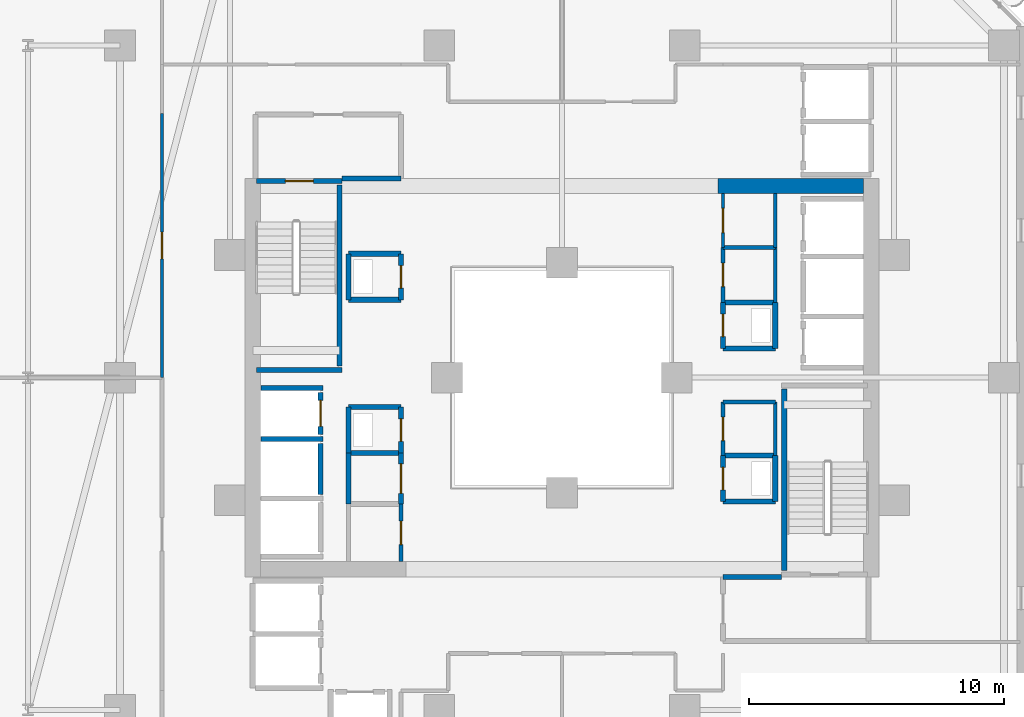
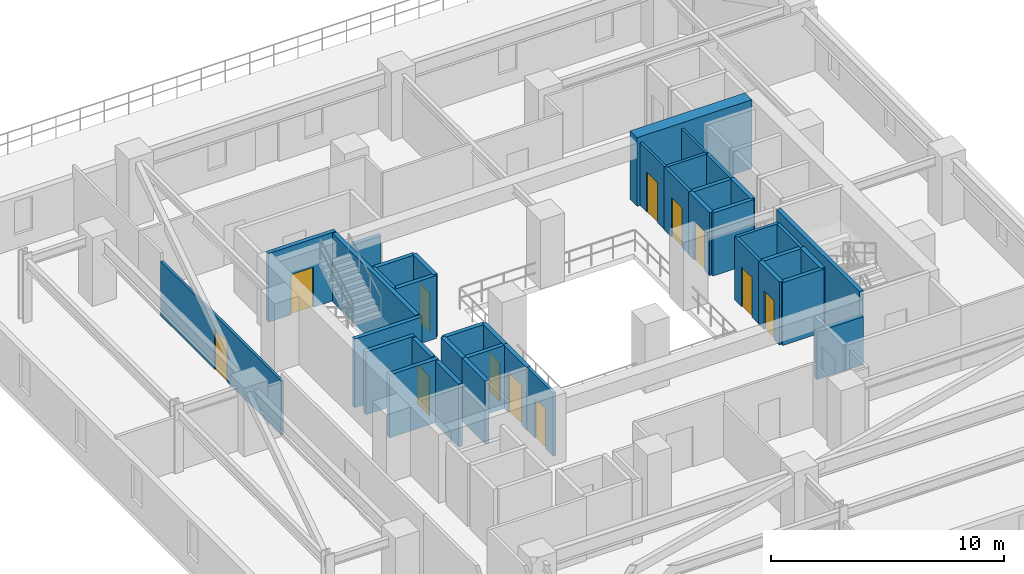
# One storey, part 25 of 33: 39 walls, 12 doors, 12 openings.
"""IFC4 building model written with IfcOpenShell, lengths in metres."""

from ifc_helpers import new_model, si_unit, direction, frame, frame_2d, origin, place, context, subcontext, project, spatial, rectangle, extrude, material, layer, layer_set, type_object, element, fill, save


model = new_model("IFC4")

# Units and contexts
model_context = context("Model", 3, precision=1e-05, world=origin(), true_north=direction((0.0, 1.0)))
body_context = subcontext(model_context, "Body", "Model", "MODEL_VIEW")
ifc_project = project(units=[si_unit("LENGTHUNIT", "METRE"), si_unit("AREAUNIT", "SQUARE_METRE"), si_unit("VOLUMEUNIT", "CUBIC_METRE"), si_unit("PLANEANGLEUNIT", "RADIAN"), si_unit("MASSUNIT", "GRAM", prefix="KILO")], contexts=[model_context])

# Site, building, storey
site_placement = place(None, origin())
site = spatial("IfcSite", under=ifc_project, at=site_placement, CompositionType="ELEMENT")
building_placement = place(site_placement, origin())
building = spatial("IfcBuilding", under=site, at=building_placement, Name="Thornwick Lancets Civic Towers", CompositionType="ELEMENT")
storey_placement = place(building_placement, frame((0.0, 0.0, 98.10009765625)))
storey = spatial("IfcBuildingStorey", under=building, at=storey_placement, Name="L25", CompositionType="ELEMENT", Elevation=98.10009765625)

# Wall, opening, door
ifc_material_1 = material(Name="Concrete blockwork C40/50", Category="masonry")
ifc_layer_1 = layer(ifc_material_1, 0.199951171875, Name="Concrete blockwork C40/50")
ifc_layer_set_1 = layer_set([ifc_layer_1], Name="Concrete blockwork C40/50")
wall_type_1 = type_object("IfcWallType", Name="WALL_COMP_200", PredefinedType="STANDARD", material=ifc_layer_set_1)
wall_1_placement = place(storey_placement, frame((79.050048828125, 24.780029296875, 0.0), z_axis=(0.0, 0.0, 1.0), x_axis=(0.0, 1.0, 0.0)))
wall_1 = element("IfcWall", 1, at=wall_1_placement, inside=storey, type_object=wall_type_1, Name="L25 Hoistway Front Wall FL-B2", PredefinedType="STANDARD", context=body_context, shape_type="SweptSolid", body=[
    extrude(rectangle(XDim=1.639892578125, YDim=0.199951171875, at=frame_2d((0.81982421875, 0.0))), origin(), (0.0, 0.0, 1.0), 3.2998046875),
])
opening_1_placement = place(wall_1_placement, frame((0.31005859375, 0.0, 0.0)))
opening_1 = element("IfcOpeningElement", 2, at=opening_1_placement, cuts=wall_1, Name="Opening LD-FL-B2", PredefinedType="OPENING", context=body_context, shape_type="SweptSolid", body=[
    extrude(rectangle(XDim=1.02001953125, YDim=2.06005859375, at=frame_2d((0.510009765625, 1.030029296875))), frame((0.0, 0.10986328125, 0.0), z_axis=(0.0, -1.0, 0.0), x_axis=(1.0, 0.0, 0.0)), (0.0, 0.0, 1.0), 0.219970703125),
])
ifc_material_2 = material(Name="Brushed bronze stainless steel", Category="steel")
door_type_1 = type_object("IfcDoorType", Name="DOOR_LIFT_SLIDE", OperationType="SLIDING_TO_LEFT", PredefinedType="DOOR", material=ifc_material_2)
door_1_placement = place(opening_1_placement, origin())
door_1 = element("IfcDoor", 3, at=door_1_placement, inside=storey, type_object=door_type_1, Name="L25 Sliding Lift Landing Door LD-FL-B2", OperationType="SLIDING_TO_LEFT", OverallHeight=2.06005859375, OverallWidth=1.02001953125, PredefinedType="DOOR", context=body_context, shape_type="SweptSolid", body=[
    extrude(rectangle(XDim=1.02001953125, YDim=2.06005859375, at=frame_2d((0.510009765625, 1.030029296875))), frame((0.0, 0.02490234375, 0.0), z_axis=(0.0, -1.0, 0.0), x_axis=(1.0, 0.0, 0.0)), (0.0, 0.0, 1.0), 0.050048828125),
])
fill(opening_1, door_1)

# Walls
wall_2_placement = place(storey_placement, frame((79.050048828125, 22.429931640625, 0.0), z_axis=(0.0, 0.0, 1.0), x_axis=(0.0, 1.0, 0.0)))
element("IfcWall", 4, at=wall_2_placement, inside=storey, type_object=wall_type_1, Name="L25 Hoistway Front Wall PL-BH2", PredefinedType="STANDARD", context=body_context, shape_type="SweptSolid", body=[
    extrude(rectangle(XDim=1.989990234375, YDim=0.199951171875, at=frame_2d((0.9951171875, 0.0))), origin(), (0.0, 0.0, 1.0), 3.2998046875),
])
for number, where, z_axis, x_axis, name in (
    (5, (76.7119140625, 26.60009765625, 0.0), (0.0, 0.0, 1.0), (1.0, 0.0, 0.0), "L25 Hoistway Shaft Wall FL-B2 N"),
    (6, (76.7119140625, 24.60009765625, 0.0), (0.0, 0.0, 1.0), (1.0, 0.0, 0.0), "L25 Hoistway Shaft Wall FL-B2 S"),
):
    element("IfcWall", number, at=place(storey_placement, frame(where, z_axis=z_axis, x_axis=x_axis)), inside=storey, type_object=wall_type_1, Name=name, PredefinedType="STANDARD", context=body_context, shape_type="SweptSolid", body=[
        extrude(rectangle(XDim=2.43603515625, YDim=0.199951171875, at=frame_2d((1.218017578125, 0.0))), origin(), (0.0, 0.0, 1.0), 3.2998046875),
    ])
for number, where, z_axis, x_axis, name in (
    (7, (97.10009765625, 19.199951171875, 0.0), (0.0, 0.0, 1.0), (-1.0, 0.0, 0.0), "L25 Partition L25-B-FFLOB1 E3"),
    (8, (79.89990234375, 34.800048828125, 0.0), (0.0, 0.0, 1.0), (1.0, 0.0, 0.0), "L25 Partition L25-B-FFLOB2 E1"),
):
    element("IfcWall", number, at=place(storey_placement, frame(where, z_axis=z_axis, x_axis=x_axis)), inside=storey, type_object=wall_type_1, Name=name, PredefinedType="STANDARD", context=body_context, shape_type="SweptSolid", body=[
        extrude(rectangle(XDim=2.300048828125, YDim=0.199951171875, at=frame_2d((1.14990234375, 0.0))), origin(), (0.0, 0.0, 1.0), 2.5048828125),
    ])
wall_3_placement = place(storey_placement, frame((94.800048828125, 28.14990234375, 0.0), z_axis=(0.0, 0.0, 1.0), x_axis=(1.0, 0.0, 0.0)))
element("IfcWall", 9, at=wall_3_placement, inside=storey, type_object=wall_type_1, Name="L25 Partition L25-B-DUCT1 E1", PredefinedType="STANDARD", context=body_context, shape_type="SweptSolid", body=[
    extrude(rectangle(XDim=2.050048828125, YDim=0.199951171875, at=frame_2d((1.02490234375, 0.0))), origin(), (0.0, 0.0, 1.0), 3.2998046875),
])
wall_4_placement = place(storey_placement, frame((96.85009765625, 28.14990234375, 0.0), z_axis=(0.0, 0.0, 1.0), x_axis=(0.0, 1.0, 0.0)))
element("IfcWall", 10, at=wall_4_placement, inside=storey, type_object=wall_type_1, Name="L25 Partition L25-B-DUCT1 E2", PredefinedType="STANDARD", context=body_context, shape_type="SweptSolid", body=[
    extrude(rectangle(XDim=1.800048828125, YDim=0.199951171875, at=frame_2d((0.89990234375, 0.0))), origin(), (0.0, 0.0, 1.0), 3.2998046875),
])
wall_5_placement = place(storey_placement, frame((96.85009765625, 29.949951171875, 0.0), z_axis=(0.0, 0.0, 1.0), x_axis=(-1.0, 0.0, 0.0)))
element("IfcWall", 11, at=wall_5_placement, inside=storey, type_object=wall_type_1, Name="L25 Partition L25-B-DUCT1 E3", PredefinedType="STANDARD", context=body_context, shape_type="SweptSolid", body=[
    extrude(rectangle(XDim=2.050048828125, YDim=0.199951171875, at=frame_2d((1.02490234375, 0.0))), origin(), (0.0, 0.0, 1.0), 3.2998046875),
])

# Wall, opening, door
wall_6_placement = place(storey_placement, frame((94.800048828125, 29.949951171875, 0.0), z_axis=(0.0, 0.0, 1.0), x_axis=(0.0, -1.0, 0.0)))
wall_6 = element("IfcWall", 12, at=wall_6_placement, inside=storey, type_object=wall_type_1, Name="L25 Partition L25-B-DUCT1 E4", PredefinedType="STANDARD", context=body_context, shape_type="SweptSolid", body=[
    extrude(rectangle(XDim=1.800048828125, YDim=0.199951171875, at=frame_2d((0.89990234375, 0.0))), origin(), (0.0, 0.0, 1.0), 3.2998046875),
])
opening_2_placement = place(wall_6_placement, frame((0.4599609375, 0.0, 0.0)))
opening_2 = element("IfcOpeningElement", 13, at=opening_2_placement, cuts=wall_6, Name="Opening D-L25-1168", PredefinedType="OPENING", context=body_context, shape_type="SweptSolid", body=[
    extrude(rectangle(XDim=0.8798828125, YDim=2.0400390625, at=frame_2d((0.43994140625, 1.02001953125))), frame((0.0, 0.10986328125, 0.0), z_axis=(0.0, -1.0, 0.0), x_axis=(1.0, 0.0, 0.0)), (0.0, 0.0, 1.0), 0.219970703125),
])
ifc_material_3 = material(Name="Steel riser access doorset", Category="steel")
door_type_2 = type_object("IfcDoorType", Name="DOOR_RISER_850", OperationType="NOTDEFINED", PredefinedType="DOOR", material=ifc_material_3)
door_2_placement = place(opening_2_placement, origin())
door_2 = element("IfcDoor", 14, at=door_2_placement, inside=storey, type_object=door_type_2, Name="L25 East Service Duct 1 Door", OperationType="SINGLE_SWING_LEFT", OverallHeight=2.0400390625, OverallWidth=0.8798828125, PredefinedType="DOOR", context=body_context, shape_type="SweptSolid", body=[
    extrude(rectangle(XDim=0.8798828125, YDim=2.0400390625, at=frame_2d((0.43994140625, 1.02001953125))), frame((0.0, 0.02490234375, 0.0), z_axis=(0.0, -1.0, 0.0), x_axis=(1.0, 0.0, 0.0)), (0.0, 0.0, 1.0), 0.050048828125),
])
fill(opening_2, door_2)

# Walls
wall_7_placement = place(storey_placement, frame((94.800048828125, 22.14990234375, 0.0), z_axis=(0.0, 0.0, 1.0), x_axis=(1.0, 0.0, 0.0)))
element("IfcWall", 15, at=wall_7_placement, inside=storey, type_object=wall_type_1, Name="L25 Partition L25-B-RISER1 E1", PredefinedType="STANDARD", context=body_context, shape_type="SweptSolid", body=[
    extrude(rectangle(XDim=2.050048828125, YDim=0.199951171875, at=frame_2d((1.02490234375, 0.0))), origin(), (0.0, 0.0, 1.0), 3.2998046875),
])
wall_8_placement = place(storey_placement, frame((96.85009765625, 22.14990234375, 0.0), z_axis=(0.0, 0.0, 1.0), x_axis=(0.0, 1.0, 0.0)))
element("IfcWall", 16, at=wall_8_placement, inside=storey, type_object=wall_type_1, Name="L25 Partition L25-B-RISER1 E2", PredefinedType="STANDARD", context=body_context, shape_type="SweptSolid", body=[
    extrude(rectangle(XDim=1.800048828125, YDim=0.199951171875, at=frame_2d((0.89990234375, 0.0))), origin(), (0.0, 0.0, 1.0), 3.2998046875),
])
wall_9_placement = place(storey_placement, frame((96.85009765625, 23.949951171875, 0.0), z_axis=(0.0, 0.0, 1.0), x_axis=(-1.0, 0.0, 0.0)))
element("IfcWall", 17, at=wall_9_placement, inside=storey, type_object=wall_type_1, Name="L25 Partition L25-B-RISER1 E3", PredefinedType="STANDARD", context=body_context, shape_type="SweptSolid", body=[
    extrude(rectangle(XDim=2.050048828125, YDim=0.199951171875, at=frame_2d((1.02490234375, 0.0))), origin(), (0.0, 0.0, 1.0), 3.2998046875),
])

# Wall, opening, door
wall_10_placement = place(storey_placement, frame((94.800048828125, 23.949951171875, 0.0), z_axis=(0.0, 0.0, 1.0), x_axis=(0.0, -1.0, 0.0)))
wall_10 = element("IfcWall", 18, at=wall_10_placement, inside=storey, type_object=wall_type_1, Name="L25 Partition L25-B-RISER1 E4", PredefinedType="STANDARD", context=body_context, shape_type="SweptSolid", body=[
    extrude(rectangle(XDim=1.800048828125, YDim=0.199951171875, at=frame_2d((0.89990234375, 0.0))), origin(), (0.0, 0.0, 1.0), 3.2998046875),
])
opening_3_placement = place(wall_10_placement, frame((0.4599609375, 0.0, 0.0)))
opening_3 = element("IfcOpeningElement", 19, at=opening_3_placement, cuts=wall_10, Name="Opening D-L25-1169", PredefinedType="OPENING", context=body_context, shape_type="SweptSolid", body=[
    extrude(rectangle(XDim=0.8798828125, YDim=2.0400390625, at=frame_2d((0.43994140625, 1.02001953125))), frame((0.0, 0.10986328125, 0.0), z_axis=(0.0, -1.0, 0.0), x_axis=(1.0, 0.0, 0.0)), (0.0, 0.0, 1.0), 0.219970703125),
])
door_3_placement = place(opening_3_placement, origin())
door_3 = element("IfcDoor", 20, at=door_3_placement, inside=storey, type_object=door_type_2, Name="L25 East Electrical Riser 1 Door", OperationType="SINGLE_SWING_RIGHT", OverallHeight=2.0400390625, OverallWidth=0.8798828125, PredefinedType="DOOR", context=body_context, shape_type="SweptSolid", body=[
    extrude(rectangle(XDim=0.8798828125, YDim=2.0400390625, at=frame_2d((0.43994140625, 1.02001953125))), frame((0.0, 0.02490234375, 0.0), z_axis=(0.0, -1.0, 0.0), x_axis=(1.0, 0.0, 0.0)), (0.0, 0.0, 1.0), 0.050048828125),
])
fill(opening_3, door_3)

# Wall
wall_11_placement = place(storey_placement, frame((80.14990234375, 24.050048828125, 0.0), z_axis=(0.0, 0.0, 1.0), x_axis=(1.0, 0.0, 0.0)))
element("IfcWall", 21, at=wall_11_placement, inside=storey, type_object=wall_type_1, Name="L25 Partition L25-B-DUCT2 E1", PredefinedType="STANDARD", context=body_context, shape_type="SweptSolid", body=[
    extrude(rectangle(XDim=2.050048828125, YDim=0.199951171875, at=frame_2d((1.02490234375, 0.0))), origin(), (0.0, 0.0, 1.0), 3.2998046875),
])

# Wall, opening, door
wall_12_placement = place(storey_placement, frame((82.199951171875, 24.050048828125, 0.0), z_axis=(0.0, 0.0, 1.0), x_axis=(0.0, 1.0, 0.0)))
wall_12 = element("IfcWall", 22, at=wall_12_placement, inside=storey, type_object=wall_type_1, Name="L25 Partition L25-B-DUCT2 E2", PredefinedType="STANDARD", context=body_context, shape_type="SweptSolid", body=[
    extrude(rectangle(XDim=1.800048828125, YDim=0.199951171875, at=frame_2d((0.89990234375, 0.0))), origin(), (0.0, 0.0, 1.0), 3.2998046875),
])
opening_4_placement = place(wall_12_placement, frame((0.4599609375, 0.0, 0.0)))
opening_4 = element("IfcOpeningElement", 23, at=opening_4_placement, cuts=wall_12, Name="Opening D-L25-1170", PredefinedType="OPENING", context=body_context, shape_type="SweptSolid", body=[
    extrude(rectangle(XDim=0.8798828125, YDim=2.0400390625, at=frame_2d((0.43994140625, 1.02001953125))), frame((0.0, 0.10986328125, 0.0), z_axis=(0.0, -1.0, 0.0), x_axis=(1.0, 0.0, 0.0)), (0.0, 0.0, 1.0), 0.219970703125),
])
door_4_placement = place(opening_4_placement, origin())
door_4 = element("IfcDoor", 24, at=door_4_placement, inside=storey, type_object=door_type_2, Name="L25 West Service Duct 2 Door", OperationType="SINGLE_SWING_LEFT", OverallHeight=2.0400390625, OverallWidth=0.8798828125, PredefinedType="DOOR", context=body_context, shape_type="SweptSolid", body=[
    extrude(rectangle(XDim=0.8798828125, YDim=2.0400390625, at=frame_2d((0.43994140625, 1.02001953125))), frame((0.0, 0.02490234375, 0.0), z_axis=(0.0, -1.0, 0.0), x_axis=(1.0, 0.0, 0.0)), (0.0, 0.0, 1.0), 0.050048828125),
])
fill(opening_4, door_4)

# Walls
wall_13_placement = place(storey_placement, frame((82.199951171875, 25.85009765625, 0.0), z_axis=(0.0, 0.0, 1.0), x_axis=(-1.0, 0.0, 0.0)))
element("IfcWall", 25, at=wall_13_placement, inside=storey, type_object=wall_type_1, Name="L25 Partition L25-B-DUCT2 E3", PredefinedType="STANDARD", context=body_context, shape_type="SweptSolid", body=[
    extrude(rectangle(XDim=2.050048828125, YDim=0.199951171875, at=frame_2d((1.02490234375, 0.0))), origin(), (0.0, 0.0, 1.0), 3.2998046875),
])
wall_14_placement = place(storey_placement, frame((80.14990234375, 25.85009765625, 0.0), z_axis=(0.0, 0.0, 1.0), x_axis=(0.0, -1.0, 0.0)))
element("IfcWall", 26, at=wall_14_placement, inside=storey, type_object=wall_type_1, Name="L25 Partition L25-B-DUCT2 E4", PredefinedType="STANDARD", context=body_context, shape_type="SweptSolid", body=[
    extrude(rectangle(XDim=1.800048828125, YDim=0.199951171875, at=frame_2d((0.89990234375, 0.0))), origin(), (0.0, 0.0, 1.0), 3.2998046875),
])
wall_15_placement = place(storey_placement, frame((80.14990234375, 30.050048828125, 0.0), z_axis=(0.0, 0.0, 1.0), x_axis=(1.0, 0.0, 0.0)))
element("IfcWall", 27, at=wall_15_placement, inside=storey, type_object=wall_type_1, Name="L25 Partition L25-B-RISER2 E1", PredefinedType="STANDARD", context=body_context, shape_type="SweptSolid", body=[
    extrude(rectangle(XDim=2.050048828125, YDim=0.199951171875, at=frame_2d((1.02490234375, 0.0))), origin(), (0.0, 0.0, 1.0), 3.2998046875),
])

# Wall, opening, door
wall_16_placement = place(storey_placement, frame((82.199951171875, 30.050048828125, 0.0), z_axis=(0.0, 0.0, 1.0), x_axis=(0.0, 1.0, 0.0)))
wall_16 = element("IfcWall", 28, at=wall_16_placement, inside=storey, type_object=wall_type_1, Name="L25 Partition L25-B-RISER2 E2", PredefinedType="STANDARD", context=body_context, shape_type="SweptSolid", body=[
    extrude(rectangle(XDim=1.800048828125, YDim=0.199951171875, at=frame_2d((0.89990234375, 0.0))), origin(), (0.0, 0.0, 1.0), 3.2998046875),
])
opening_5_placement = place(wall_16_placement, frame((0.4599609375, 0.0, 0.0)))
opening_5 = element("IfcOpeningElement", 29, at=opening_5_placement, cuts=wall_16, Name="Opening D-L25-1171", PredefinedType="OPENING", context=body_context, shape_type="SweptSolid", body=[
    extrude(rectangle(XDim=0.8798828125, YDim=2.0400390625, at=frame_2d((0.43994140625, 1.02001953125))), frame((0.0, 0.10986328125, 0.0), z_axis=(0.0, -1.0, 0.0), x_axis=(1.0, 0.0, 0.0)), (0.0, 0.0, 1.0), 0.219970703125),
])
door_5_placement = place(opening_5_placement, origin())
door_5 = element("IfcDoor", 30, at=door_5_placement, inside=storey, type_object=door_type_2, Name="L25 West Service Riser 2 Door", OperationType="SINGLE_SWING_RIGHT", OverallHeight=2.0400390625, OverallWidth=0.8798828125, PredefinedType="DOOR", context=body_context, shape_type="SweptSolid", body=[
    extrude(rectangle(XDim=0.8798828125, YDim=2.0400390625, at=frame_2d((0.43994140625, 1.02001953125))), frame((0.0, 0.02490234375, 0.0), z_axis=(0.0, -1.0, 0.0), x_axis=(1.0, 0.0, 0.0)), (0.0, 0.0, 1.0), 0.050048828125),
])
fill(opening_5, door_5)

# Walls
wall_17_placement = place(storey_placement, frame((82.199951171875, 31.85009765625, 0.0), z_axis=(0.0, 0.0, 1.0), x_axis=(-1.0, 0.0, 0.0)))
element("IfcWall", 31, at=wall_17_placement, inside=storey, type_object=wall_type_1, Name="L25 Partition L25-B-RISER2 E3", PredefinedType="STANDARD", context=body_context, shape_type="SweptSolid", body=[
    extrude(rectangle(XDim=2.050048828125, YDim=0.199951171875, at=frame_2d((1.02490234375, 0.0))), origin(), (0.0, 0.0, 1.0), 3.2998046875),
])
wall_18_placement = place(storey_placement, frame((80.14990234375, 31.85009765625, 0.0), z_axis=(0.0, 0.0, 1.0), x_axis=(0.0, -1.0, 0.0)))
element("IfcWall", 32, at=wall_18_placement, inside=storey, type_object=wall_type_1, Name="L25 Partition L25-B-RISER2 E4", PredefinedType="STANDARD", context=body_context, shape_type="SweptSolid", body=[
    extrude(rectangle(XDim=1.800048828125, YDim=0.199951171875, at=frame_2d((0.89990234375, 0.0))), origin(), (0.0, 0.0, 1.0), 3.2998046875),
])
wall_19_placement = place(storey_placement, frame((80.14990234375, 22.050048828125, 0.0), z_axis=(0.0, 0.0, 1.0), x_axis=(0.0, 1.0, 0.0)))
element("IfcWall", 33, at=wall_19_placement, inside=storey, type_object=wall_type_1, Name="L25 Partition L25-B-STR E1", PredefinedType="STANDARD", context=body_context, shape_type="SweptSolid", body=[
    extrude(rectangle(XDim=2.0, YDim=0.199951171875, at=frame_2d((1.0, 0.0))), origin(), (0.0, 0.0, 1.0), 3.2998046875),
])

# Wall, opening, door
wall_20_placement = place(storey_placement, frame((82.199951171875, 24.050048828125, 0.0), z_axis=(0.0, 0.0, 1.0), x_axis=(0.0, -1.0, 0.0)))
wall_20 = element("IfcWall", 34, at=wall_20_placement, inside=storey, type_object=wall_type_1, Name="L25 Partition L25-B-STR E3", PredefinedType="STANDARD", context=body_context, shape_type="SweptSolid", body=[
    extrude(rectangle(XDim=2.0, YDim=0.199951171875, at=frame_2d((1.0, 0.0))), origin(), (0.0, 0.0, 1.0), 3.2998046875),
])
opening_6_placement = place(wall_20_placement, frame((0.425048828125, 0.0, 0.0)))
opening_6 = element("IfcOpeningElement", 35, at=opening_6_placement, cuts=wall_20, Name="Opening D-L25-1176", PredefinedType="OPENING", context=body_context, shape_type="SweptSolid", body=[
    extrude(rectangle(XDim=1.14990234375, YDim=2.10009765625, at=frame_2d((0.574951171875, 1.050048828125))), frame((0.0, 0.10986328125, 0.0), z_axis=(0.0, -1.0, 0.0), x_axis=(1.0, 0.0, 0.0)), (0.0, 0.0, 1.0), 0.219970703125),
])
ifc_material_4 = material(Name="Glazed fire-resisting steel", Category="steel")
door_type_3 = type_object("IfcDoorType", Name="DOOR_LOBBY_FD60", OperationType="NOTDEFINED", PredefinedType="DOOR", material=ifc_material_4)
door_6_placement = place(opening_6_placement, origin())
door_6 = element("IfcDoor", 36, at=door_6_placement, inside=storey, type_object=door_type_3, Name="L25 Tower B Core Records Store Door", OperationType="SINGLE_SWING_LEFT", OverallHeight=2.10009765625, OverallWidth=1.14990234375, PredefinedType="DOOR", context=body_context, shape_type="SweptSolid", body=[
    extrude(rectangle(XDim=1.14990234375, YDim=2.10009765625, at=frame_2d((0.574951171875, 1.050048828125))), frame((0.0, 0.02490234375, 0.0), z_axis=(0.0, -1.0, 0.0), x_axis=(1.0, 0.0, 0.0)), (0.0, 0.0, 1.0), 0.050048828125),
])
fill(opening_6, door_6)

# Wall
ifc_material_5 = material(Name="Concrete C60/75", Category="concrete")
ifc_layer_2 = layer(ifc_material_5, 0.60009765625, Name="Concrete C60/75")
ifc_layer_set_2 = layer_set([ifc_layer_2], Name="Concrete C60/75")
wall_type_2 = type_object("IfcWallType", Name="WALL_CORE_600", PredefinedType="SHEAR", material=ifc_layer_set_2)
wall_21_placement = place(storey_placement, frame((94.60009765625, 34.5, 0.0), z_axis=(0.0, 0.0, 1.0), x_axis=(1.0, 0.0, 0.0)))
element("IfcWall", 37, at=wall_21_placement, inside=storey, type_object=wall_type_2, Name="L25 Split Core B1 Shear Wall N", PredefinedType="SHEAR", context=body_context, shape_type="SweptSolid", body=[
    extrude(rectangle(XDim=5.699951171875, YDim=0.60009765625, at=frame_2d((2.85009765625, 0.0))), origin(), (0.0, 0.0, 1.0), 3.599853515625),
])

# Wall, opening, door
ifc_material_6 = material(Name="Acoustic gypsum board partition")
ifc_layer_3 = layer(ifc_material_6, 0.1201171875, Name="Acoustic gypsum board partition")
ifc_layer_set_3 = layer_set([ifc_layer_3], Name="Acoustic gypsum board partition")
wall_type_3 = type_object("IfcWallType", Name="WALL_PART_120", PredefinedType="PARTITIONING", material=ifc_layer_set_3)
wall_22_placement = place(storey_placement, frame((94.800048828125, 32.10009765625, 0.0), z_axis=(0.0, 0.0, 1.0), x_axis=(0.0, 1.0, 0.0)))
wall_22 = element("IfcWall", 38, at=wall_22_placement, inside=storey, type_object=wall_type_3, Name="L25 Partition L25-B-ITR E1", PredefinedType="PARTITIONING", context=body_context, shape_type="SweptSolid", body=[
    extrude(rectangle(XDim=2.099853515625, YDim=0.1201171875, at=frame_2d((1.0498046875, 0.0))), origin(), (0.0, 0.0, 1.0), 3.2998046875),
])
opening_7_placement = place(wall_22_placement, frame((0.574951171875, 0.0, 0.0)))
opening_7 = element("IfcOpeningElement", 39, at=opening_7_placement, cuts=wall_22, Name="Opening D-L25-1174", PredefinedType="OPENING", context=body_context, shape_type="SweptSolid", body=[
    extrude(rectangle(XDim=0.949951171875, YDim=2.10009765625, at=frame_2d((0.47509765625, 1.050048828125))), frame((0.0, 0.070068359375, 0.0), z_axis=(0.0, -1.0, 0.0), x_axis=(1.0, 0.0, 0.0)), (0.0, 0.0, 1.0), 0.14013671875),
])
ifc_material_7 = material(Name="European oak acoustic doorset")
door_type_4 = type_object("IfcDoorType", Name="DOOR_OFFICE_950", OperationType="NOTDEFINED", PredefinedType="DOOR", material=ifc_material_7)
door_7_placement = place(opening_7_placement, origin())
door_7 = element("IfcDoor", 40, at=door_7_placement, inside=storey, type_object=door_type_4, Name="L25 Tower B Comms Patch Room Door", OperationType="SINGLE_SWING_LEFT", OverallHeight=2.10009765625, OverallWidth=0.949951171875, PredefinedType="DOOR", context=body_context, shape_type="SweptSolid", body=[
    extrude(rectangle(XDim=0.949951171875, YDim=2.10009765625, at=frame_2d((0.47509765625, 1.050048828125))), frame((0.0, 0.02490234375, 0.0), z_axis=(0.0, -1.0, 0.0), x_axis=(1.0, 0.0, 0.0)), (0.0, 0.0, 1.0), 0.050048828125),
])
fill(opening_7, door_7)

# Wall
wall_23_placement = place(storey_placement, frame((96.85009765625, 34.199951171875, 0.0), z_axis=(0.0, 0.0, 1.0), x_axis=(0.0, -1.0, 0.0)))
element("IfcWall", 41, at=wall_23_placement, inside=storey, type_object=wall_type_3, Name="L25 Partition L25-B-ITR E3", PredefinedType="PARTITIONING", context=body_context, shape_type="SweptSolid", body=[
    extrude(rectangle(XDim=2.099853515625, YDim=0.1201171875, at=frame_2d((1.0498046875, 0.0))), origin(), (0.0, 0.0, 1.0), 3.2998046875),
])

# Wall, opening, door
wall_24_placement = place(storey_placement, frame((72.85009765625, 37.35009765625, 0.0), z_axis=(0.0, 0.0, 1.0), x_axis=(0.0, -1.0, 0.0)))
wall_24 = element("IfcWall", 42, at=wall_24_placement, inside=storey, type_object=wall_type_3, Name="L25 Partition L25-B-N-OFF E6", PredefinedType="PARTITIONING", context=body_context, shape_type="SweptSolid", body=[
    extrude(rectangle(XDim=10.35009765625, YDim=0.1201171875, at=frame_2d((5.175048828125, 0.0))), origin(), (0.0, 0.0, 1.0), 2.85498046875),
])
opening_8_placement = place(wall_24_placement, frame((4.64990234375, 0.0, 0.0)))
opening_8 = element("IfcOpeningElement", 43, at=opening_8_placement, cuts=wall_24, Name="Opening D-L25-1188", PredefinedType="OPENING", context=body_context, shape_type="SweptSolid", body=[
    extrude(rectangle(XDim=1.050048828125, YDim=2.10009765625, at=frame_2d((0.52490234375, 1.050048828125))), frame((0.0, 0.070068359375, 0.0), z_axis=(0.0, -1.0, 0.0), x_axis=(1.0, 0.0, 0.0)), (0.0, 0.0, 1.0), 0.14013671875),
])
ifc_material_8 = material(Name="Glazed European oak executive doorset")
door_type_5 = type_object("IfcDoorType", Name="DOOR_OFFICE_1050", OperationType="NOTDEFINED", PredefinedType="DOOR", material=ifc_material_8)
door_8_placement = place(opening_8_placement, origin())
door_8 = element("IfcDoor", 44, at=door_8_placement, inside=storey, type_object=door_type_5, Name="L25 Tower B North Policy Office Door", OperationType="SINGLE_SWING_LEFT", OverallHeight=2.10009765625, OverallWidth=1.050048828125, PredefinedType="DOOR", context=body_context, shape_type="SweptSolid", body=[
    extrude(rectangle(XDim=1.050048828125, YDim=2.10009765625, at=frame_2d((0.52490234375, 1.050048828125))), frame((0.0, 0.02490234375, 0.0), z_axis=(0.0, -1.0, 0.0), x_axis=(1.0, 0.0, 0.0)), (0.0, 0.0, 1.0), 0.050048828125),
])
fill(opening_8, door_8)

ifc_material_9 = material(Name="Twin-stud acoustic gypsum board")
ifc_layer_4 = layer(ifc_material_9, 0.14990234375, Name="Twin-stud acoustic gypsum board")
ifc_layer_set_4 = layer_set([ifc_layer_4], Name="Twin-stud acoustic gypsum board")
wall_type_4 = type_object("IfcWallType", Name="WALL_PART_150", PredefinedType="PARTITIONING", material=ifc_layer_set_4)
wall_25_placement = place(storey_placement, frame((94.800048828125, 23.949951171875, 0.0), z_axis=(0.0, 0.0, 1.0), x_axis=(0.0, 1.0, 0.0)))
wall_25 = element("IfcWall", 45, at=wall_25_placement, inside=storey, type_object=wall_type_4, Name="L25 Partition L25-B-MWC E1", PredefinedType="PARTITIONING", context=body_context, shape_type="SweptSolid", body=[
    extrude(rectangle(XDim=2.10009765625, YDim=0.14990234375, at=frame_2d((1.050048828125, 0.0))), origin(), (0.0, 0.0, 1.0), 3.2998046875),
])
opening_9_placement = place(wall_25_placement, frame((0.590087890625, 0.0, 0.0)))
opening_9 = element("IfcOpeningElement", 46, at=opening_9_placement, cuts=wall_25, Name="Opening D-L25-1172", PredefinedType="OPENING", context=body_context, shape_type="SweptSolid", body=[
    extrude(rectangle(XDim=0.919921875, YDim=2.080078125, at=frame_2d((0.4599609375, 1.0400390625))), frame((0.0, 0.0849609375, 0.0), z_axis=(0.0, -1.0, 0.0), x_axis=(1.0, 0.0, 0.0)), (0.0, 0.0, 1.0), 0.169921875),
])
ifc_material_10 = material(Name="Moisture-resistant oak doorset")
door_type_6 = type_object("IfcDoorType", Name="DOOR_WC_900", OperationType="NOTDEFINED", PredefinedType="DOOR", material=ifc_material_10)
door_9_placement = place(opening_9_placement, origin())
door_9 = element("IfcDoor", 47, at=door_9_placement, inside=storey, type_object=door_type_6, Name="L25 Tower B Male WC Door", OperationType="SINGLE_SWING_LEFT", OverallHeight=2.080078125, OverallWidth=0.919921875, PredefinedType="DOOR", context=body_context, shape_type="SweptSolid", body=[
    extrude(rectangle(XDim=0.919921875, YDim=2.080078125, at=frame_2d((0.4599609375, 1.0400390625))), frame((0.0, 0.02490234375, 0.0), z_axis=(0.0, -1.0, 0.0), x_axis=(1.0, 0.0, 0.0)), (0.0, 0.0, 1.0), 0.050048828125),
])
fill(opening_9, door_9)

# Walls
wall_26_placement = place(storey_placement, frame((94.800048828125, 26.050048828125, 0.0), z_axis=(0.0, 0.0, 1.0), x_axis=(1.0, 0.0, 0.0)))
element("IfcWall", 48, at=wall_26_placement, inside=storey, type_object=wall_type_4, Name="L25 Partition L25-B-MWC E2", PredefinedType="PARTITIONING", context=body_context, shape_type="SweptSolid", body=[
    extrude(rectangle(XDim=2.050048828125, YDim=0.14990234375, at=frame_2d((1.02490234375, 0.0))), origin(), (0.0, 0.0, 1.0), 3.2998046875),
])
wall_27_placement = place(storey_placement, frame((96.85009765625, 26.050048828125, 0.0), z_axis=(0.0, 0.0, 1.0), x_axis=(0.0, -1.0, 0.0)))
element("IfcWall", 49, at=wall_27_placement, inside=storey, type_object=wall_type_4, Name="L25 Partition L25-B-MWC E3", PredefinedType="PARTITIONING", context=body_context, shape_type="SweptSolid", body=[
    extrude(rectangle(XDim=2.10009765625, YDim=0.14990234375, at=frame_2d((1.050048828125, 0.0))), origin(), (0.0, 0.0, 1.0), 3.2998046875),
])

# Wall, opening, door
wall_28_placement = place(storey_placement, frame((94.800048828125, 29.949951171875, 0.0), z_axis=(0.0, 0.0, 1.0), x_axis=(0.0, 1.0, 0.0)))
wall_28 = element("IfcWall", 50, at=wall_28_placement, inside=storey, type_object=wall_type_4, Name="L25 Partition L25-B-FWC E1", PredefinedType="PARTITIONING", context=body_context, shape_type="SweptSolid", body=[
    extrude(rectangle(XDim=2.150146484375, YDim=0.14990234375, at=frame_2d((1.0751953125, 0.0))), origin(), (0.0, 0.0, 1.0), 3.2998046875),
])
opening_10_placement = place(wall_28_placement, frame((0.614990234375, 0.0, 0.0)))
opening_10 = element("IfcOpeningElement", 51, at=opening_10_placement, cuts=wall_28, Name="Opening D-L25-1173", PredefinedType="OPENING", context=body_context, shape_type="SweptSolid", body=[
    extrude(rectangle(XDim=0.919921875, YDim=2.080078125, at=frame_2d((0.4599609375, 1.0400390625))), frame((0.0, 0.0849609375, 0.0), z_axis=(0.0, -1.0, 0.0), x_axis=(1.0, 0.0, 0.0)), (0.0, 0.0, 1.0), 0.169921875),
])
door_10_placement = place(opening_10_placement, origin())
door_10 = element("IfcDoor", 52, at=door_10_placement, inside=storey, type_object=door_type_6, Name="L25 Tower B Female WC Door", OperationType="SINGLE_SWING_RIGHT", OverallHeight=2.080078125, OverallWidth=0.919921875, PredefinedType="DOOR", context=body_context, shape_type="SweptSolid", body=[
    extrude(rectangle(XDim=0.919921875, YDim=2.080078125, at=frame_2d((0.4599609375, 1.0400390625))), frame((0.0, 0.02490234375, 0.0), z_axis=(0.0, -1.0, 0.0), x_axis=(1.0, 0.0, 0.0)), (0.0, 0.0, 1.0), 0.050048828125),
])
fill(opening_10, door_10)

# Walls
wall_29_placement = place(storey_placement, frame((94.800048828125, 32.10009765625, 0.0), z_axis=(0.0, 0.0, 1.0), x_axis=(1.0, 0.0, 0.0)))
element("IfcWall", 53, at=wall_29_placement, inside=storey, type_object=wall_type_4, Name="L25 Partition L25-B-FWC E2", PredefinedType="PARTITIONING", context=body_context, shape_type="SweptSolid", body=[
    extrude(rectangle(XDim=2.050048828125, YDim=0.14990234375, at=frame_2d((1.02490234375, 0.0))), origin(), (0.0, 0.0, 1.0), 3.2998046875),
])
wall_30_placement = place(storey_placement, frame((96.85009765625, 32.10009765625, 0.0), z_axis=(0.0, 0.0, 1.0), x_axis=(0.0, -1.0, 0.0)))
element("IfcWall", 54, at=wall_30_placement, inside=storey, type_object=wall_type_4, Name="L25 Partition L25-B-FWC E3", PredefinedType="PARTITIONING", context=body_context, shape_type="SweptSolid", body=[
    extrude(rectangle(XDim=2.150146484375, YDim=0.14990234375, at=frame_2d((1.0751953125, 0.0))), origin(), (0.0, 0.0, 1.0), 3.2998046875),
])

# Wall, opening, door
wall_31_placement = place(storey_placement, frame((82.199951171875, 19.800048828125, 0.0), z_axis=(0.0, 0.0, 1.0), x_axis=(0.0, 1.0, 0.0)))
wall_31 = element("IfcWall", 55, at=wall_31_placement, inside=storey, type_object=wall_type_4, Name="L25 Partition L25-B-AWC E2", PredefinedType="PARTITIONING", context=body_context, shape_type="SweptSolid", body=[
    extrude(rectangle(XDim=2.25, YDim=0.14990234375, at=frame_2d((1.125, 0.0))), origin(), (0.0, 0.0, 1.0), 3.2998046875),
])
opening_11_placement = place(wall_31_placement, frame((0.6650390625, 0.0, 0.0)))
opening_11 = element("IfcOpeningElement", 56, at=opening_11_placement, cuts=wall_31, Name="Opening D-L25-1175", PredefinedType="OPENING", context=body_context, shape_type="SweptSolid", body=[
    extrude(rectangle(XDim=0.919921875, YDim=2.080078125, at=frame_2d((0.4599609375, 1.0400390625))), frame((0.0, 0.0849609375, 0.0), z_axis=(0.0, -1.0, 0.0), x_axis=(1.0, 0.0, 0.0)), (0.0, 0.0, 1.0), 0.169921875),
])
door_11_placement = place(opening_11_placement, origin())
door_11 = element("IfcDoor", 57, at=door_11_placement, inside=storey, type_object=door_type_6, Name="L25 Tower B Accessible WC Door", OperationType="SINGLE_SWING_RIGHT", OverallHeight=2.080078125, OverallWidth=0.919921875, PredefinedType="DOOR", context=body_context, shape_type="SweptSolid", body=[
    extrude(rectangle(XDim=0.919921875, YDim=2.080078125, at=frame_2d((0.4599609375, 1.0400390625))), frame((0.0, 0.02490234375, 0.0), z_axis=(0.0, -1.0, 0.0), x_axis=(1.0, 0.0, 0.0)), (0.0, 0.0, 1.0), 0.050048828125),
])
fill(opening_11, door_11)

# Wall
ifc_material_11 = material(Name="Concrete C40/50", Category="concrete")
ifc_layer_5 = layer(ifc_material_11, 0.199951171875, Name="Concrete C40/50")
ifc_layer_set_5 = layer_set([ifc_layer_5], Name="Concrete C40/50")
wall_type_5 = type_object("IfcWallType", Name="WALL_SHAFT_200", PredefinedType="SHEAR", material=ifc_layer_set_5)
wall_32_placement = place(storey_placement, frame((97.202880859375, 26.550048828125, 0.0), z_axis=(0.0, 0.0, 1.0), x_axis=(0.0, -1.0, 0.0)))
element("IfcWall", 58, at=wall_32_placement, inside=storey, type_object=wall_type_5, Name="L25 ST-B1 Fire Stair Core Wall RIGHT", PredefinedType="SHEAR", context=body_context, shape_type="SweptSolid", body=[
    extrude(rectangle(XDim=7.10009765625, YDim=0.199951171875, at=frame_2d((3.550048828125, 0.0))), origin(), (0.0, 0.0, 1.0), 3.599853515625),
])

# Wall, opening, door
wall_33_placement = place(storey_placement, frame((76.550048828125, 34.699951171875, 0.0), z_axis=(0.0, 0.0, 1.0), x_axis=(1.0, 0.0, 0.0)))
wall_33 = element("IfcWall", 59, at=wall_33_placement, inside=storey, type_object=wall_type_5, Name="L25 ST-B2 Fire Stair Core Wall NEAR", PredefinedType="SHEAR", context=body_context, shape_type="SweptSolid", body=[
    extrude(rectangle(XDim=3.349853515625, YDim=0.199951171875, at=frame_2d((1.6748046875, 0.0))), origin(), (0.0, 0.0, 1.0), 3.599853515625),
])
opening_12_placement = place(wall_33_placement, frame((1.125, 0.0, 0.0)))
opening_12 = element("IfcOpeningElement", 60, at=opening_12_placement, cuts=wall_33, Name="Opening D-ST-B2-L25", PredefinedType="OPENING", context=body_context, shape_type="SweptSolid", body=[
    extrude(rectangle(XDim=1.10009765625, YDim=2.10009765625, at=frame_2d((0.550048828125, 1.050048828125))), frame((0.0, 0.10986328125, 0.0), z_axis=(0.0, -1.0, 0.0), x_axis=(1.0, 0.0, 0.0)), (0.0, 0.0, 1.0), 0.219970703125),
])
ifc_material_12 = material(Name="Fire-resisting steel and hardwood", Category="steel")
door_type_7 = type_object("IfcDoorType", Name="DOOR_STAIR_FD60", OperationType="NOTDEFINED", PredefinedType="DOOR", material=ifc_material_12)
door_12_placement = place(opening_12_placement, origin())
door_12 = element("IfcDoor", 61, at=door_12_placement, inside=storey, type_object=door_type_7, Name="L25 ST-B2 Exit Stair Door", OperationType="SINGLE_SWING_LEFT", OverallHeight=2.10009765625, OverallWidth=1.10009765625, PredefinedType="DOOR", context=body_context, shape_type="SweptSolid", body=[
    extrude(rectangle(XDim=1.10009765625, YDim=2.10009765625, at=frame_2d((0.550048828125, 1.050048828125))), frame((0.0, 0.02490234375, 0.0), z_axis=(0.0, -1.0, 0.0), x_axis=(1.0, 0.0, 0.0)), (0.0, 0.0, 1.0), 0.050048828125),
])
fill(opening_12, door_12)

# Walls
wall_34_placement = place(storey_placement, frame((79.89990234375, 27.300048828125, 0.0), z_axis=(0.0, 0.0, 1.0), x_axis=(-1.0, 0.0, 0.0)))
element("IfcWall", 62, at=wall_34_placement, inside=storey, type_object=wall_type_5, Name="L25 ST-B2 Fire Stair Core Wall FAR", PredefinedType="SHEAR", context=body_context, shape_type="SweptSolid", body=[
    extrude(rectangle(XDim=3.349853515625, YDim=0.199951171875, at=frame_2d((1.6748046875, 0.0))), origin(), (0.0, 0.0, 1.0), 3.599853515625),
])
wall_35_placement = place(storey_placement, frame((79.797119140625, 27.449951171875, 0.0), z_axis=(0.0, 0.0, 1.0), x_axis=(0.0, 1.0, 0.0)))
element("IfcWall", 63, at=wall_35_placement, inside=storey, type_object=wall_type_5, Name="L25 ST-B2 Fire Stair Core Wall RIGHT", PredefinedType="SHEAR", context=body_context, shape_type="SweptSolid", body=[
    extrude(rectangle(XDim=7.10009765625, YDim=0.199951171875, at=frame_2d((3.550048828125, 0.0))), origin(), (0.0, 0.0, 1.0), 3.599853515625),
])

save(model, "model.ifc")
